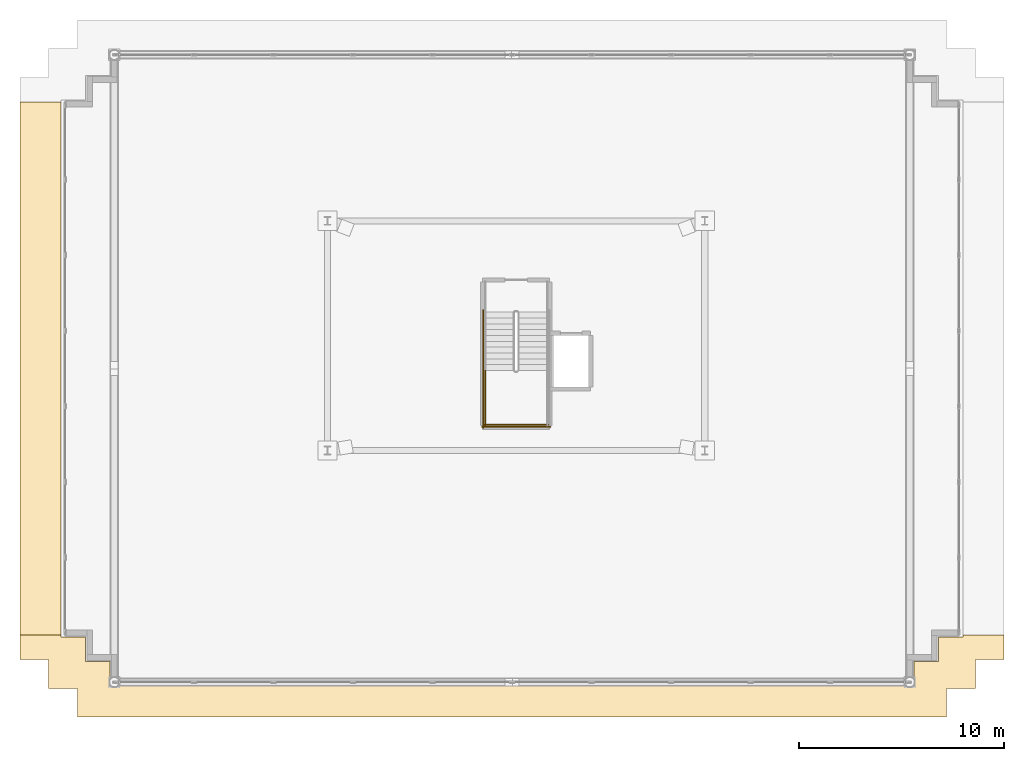
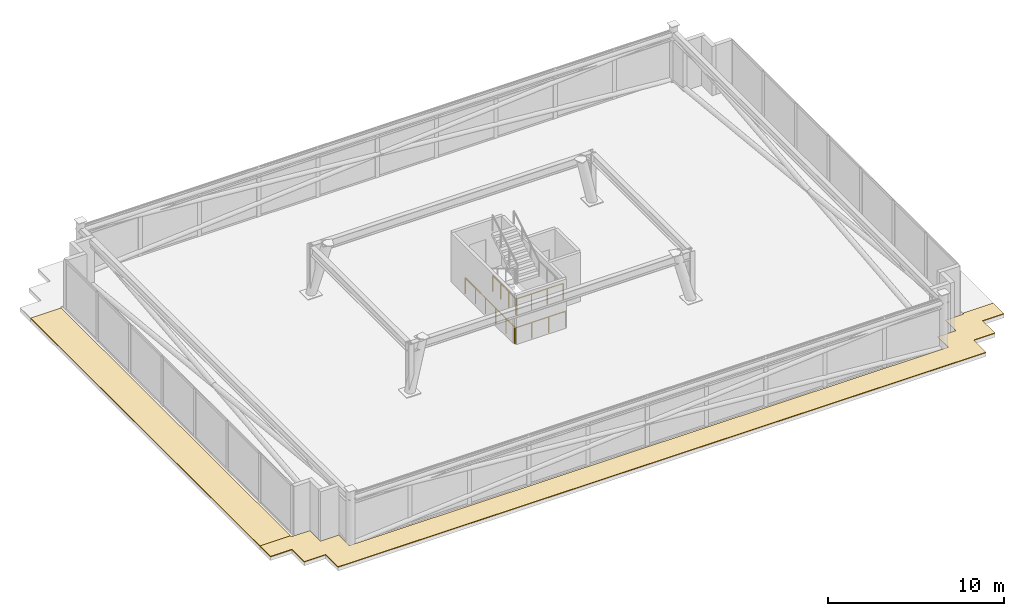
# One storey, part 21 of 23: 4 railings, 2 coverings.
"""IFC4 building model written with IfcOpenShell, lengths in metres."""

from ifc_helpers import new_model, si_unit, direction, frame, origin, origin_2d, place, context, subcontext, project, spatial, polyline, circle, outline, extrude, material, layer, layer_set, type_object, element, save


model = new_model("IFC4")

# Units and contexts
model_context = context("Model", 3, precision=1e-05, world=origin(), true_north=direction((0.0, 1.0)))
body_context = subcontext(model_context, "Body", "Model", "MODEL_VIEW")
ifc_project = project(units=[si_unit("LENGTHUNIT", "METRE"), si_unit("AREAUNIT", "SQUARE_METRE"), si_unit("VOLUMEUNIT", "CUBIC_METRE"), si_unit("PLANEANGLEUNIT", "RADIAN"), si_unit("MASSUNIT", "GRAM", prefix="KILO")], contexts=[model_context])

# Site, building, storey
site_placement = place(None, origin())
site = spatial("IfcSite", under=ifc_project, at=site_placement, CompositionType="ELEMENT")
building_placement = place(site_placement, origin())
building = spatial("IfcBuilding", under=site, at=building_placement, Name="Qobustan Lattice House", CompositionType="ELEMENT")
storey_placement = place(building_placement, frame((0.0, 0.0, 270.199951171875)))
storey = spatial("IfcBuildingStorey", under=building, at=storey_placement, Name="L76", CompositionType="ELEMENT", Elevation=270.199951171875)

# Coverings
ifc_material_1 = material(Name="Insulated stone-ballasted roof membrane", Category="masonry")
ifc_layer = layer(ifc_material_1, 0.050048828125)
ifc_layer_set = layer_set([ifc_layer], Name="Insulated stone-ballasted roof membrane")
covering_type = type_object("IfcCoveringType", Name="COV-ROOF-MEMB", PredefinedType="ROOFING", material=ifc_layer_set)
covering_1_placement = place(storey_placement, origin())
element("IfcCovering", 1, at=covering_1_placement, inside=storey, type_object=covering_type, Name="L76 crown step roof membrane 1", PredefinedType="ROOFING", context=body_context, shape_type="SweptSolid", body=[
    extrude(outline(polyline([(-21.39990234375, -17.199951171875), (-21.39990234375, -18.60009765625), (21.0, -18.60009765625), (21.0, -17.199951171875), (22.39990234375, -17.199951171875), (22.39990234375, -15.800048828125), (23.800048828125, -15.800048828125), (23.800048828125, -14.60009765625), (21.800048828125, -14.60009765625), (21.800048828125, -14.699951171875), (20.60009765625, -14.699951171875), (20.60009765625, -15.89990234375), (19.39990234375, -15.89990234375), (19.39990234375, -17.10009765625), (-19.800048828125, -17.10009765625), (-19.800048828125, -15.89990234375), (-21.0, -15.89990234375), (-21.0, -14.699951171875), (-22.199951171875, -14.699951171875), (-22.199951171875, -14.60009765625), (-24.199951171875, -14.60009765625), (-24.199951171875, -15.800048828125), (-22.800048828125, -15.800048828125), (-22.800048828125, -17.199951171875), (-21.39990234375, -17.199951171875)])), origin(), (0.0, 0.0, 1.0), 0.050048828125),
])
covering_2_placement = place(storey_placement, origin())
element("IfcCovering", 2, at=covering_2_placement, inside=storey, type_object=covering_type, Name="L76 crown step roof membrane 3", PredefinedType="ROOFING", context=body_context, shape_type="SweptSolid", body=[
    extrude(outline(polyline([(-24.199951171875, -14.60009765625), (-22.199951171875, -14.60009765625), (-22.199951171875, 11.39990234375), (-24.199951171875, 11.39990234375), (-24.199951171875, -14.60009765625)])), origin(), (0.0, 0.0, 1.0), 0.050048828125),
])

# Railings
ifc_material_2 = material(Name="Painted galvanized steel guardrail", Category="steel")
railing_type = type_object("IfcRailingType", Name="RAL-STG-1150", PredefinedType="GUARDRAIL", material=ifc_material_2)
railing_1_placement = place(storey_placement, frame((-1.510009765625, -1.699951171875, 1.900146484375)))
element("IfcRailing", 3, at=railing_1_placement, inside=storey, type_object=railing_type, Name="L76 ST-C1 stair guard 3", PredefinedType="GUARDRAIL", context=body_context, shape_type="SweptSolid", body=[
    extrude(circle(Radius=0.02392578125, at=origin_2d()), frame((0.0, 0.0, 1.076171875), z_axis=(0.0, -1.0, 0.0), x_axis=(1.0, 0.0, 0.0)), (0.0, 0.0, 1.0), 2.699951171875),
    extrude(circle(Radius=0.02099609375, at=origin_2d()), origin(), (0.0, 0.0, 1.0), 1.052001953125),
    extrude(circle(Radius=0.02099609375, at=origin_2d()), frame((0.0, -0.89990234375, 0.0)), (0.0, 0.0, 1.0), 1.052001953125),
    extrude(circle(Radius=0.02099609375, at=origin_2d()), frame((0.0, -1.800048828125, 0.0)), (0.0, 0.0, 1.0), 1.052001953125),
    extrude(circle(Radius=0.02099609375, at=origin_2d()), frame((0.0, -2.699951171875, 0.0)), (0.0, 0.0, 1.0), 1.052001953125),
])
railing_2_placement = place(storey_placement, frame((-1.56005859375, -4.35009765625, 1.900146484375)))
element("IfcRailing", 4, at=railing_2_placement, inside=storey, type_object=railing_type, Name="L76 ST-C1 stair guard 5", PredefinedType="GUARDRAIL", context=body_context, shape_type="SweptSolid", body=[
    extrude(circle(Radius=0.02392578125, at=origin_2d()), frame((0.0, 0.0, 1.076171875), z_axis=(1.0, 0.0, 0.0), x_axis=(0.0, 1.0, 0.0)), (0.0, 0.0, 1.0), 3.1201171875),
    extrude(circle(Radius=0.02099609375, at=origin_2d()), origin(), (0.0, 0.0, 1.0), 1.052001953125),
    extrude(circle(Radius=0.02099609375, at=origin_2d()), frame((1.0400390625, 0.0, 0.0)), (0.0, 0.0, 1.0), 1.052001953125),
    extrude(circle(Radius=0.02099609375, at=origin_2d()), frame((2.080078125, 0.0, 0.0)), (0.0, 0.0, 1.0), 1.052001953125),
    extrude(circle(Radius=0.02099609375, at=origin_2d()), frame((3.1201171875, 0.0, 0.0)), (0.0, 0.0, 1.0), 1.052001953125),
])
railing_3_placement = place(storey_placement, frame((-1.610107421875, 1.25, 0.0)))
element("IfcRailing", 5, at=railing_3_placement, inside=storey, type_object=railing_type, Name="L76 ST-C1 stair guard 10", PredefinedType="GUARDRAIL", context=body_context, shape_type="SweptSolid", body=[
    extrude(circle(Radius=0.02392578125, at=origin_2d()), frame((0.0, 0.0, 1.076171875), z_axis=(0.0, -1.0, 0.0), x_axis=(1.0, 0.0, 0.0)), (0.0, 0.0, 1.0), 5.75),
    extrude(circle(Radius=0.02099609375, at=origin_2d()), origin(), (0.0, 0.0, 1.0), 1.052001953125),
    extrude(circle(Radius=0.02099609375, at=origin_2d()), frame((0.0, -1.14990234375, 0.0)), (0.0, 0.0, 1.0), 1.052001953125),
    extrude(circle(Radius=0.02099609375, at=origin_2d()), frame((0.0, -2.300048828125, 0.0)), (0.0, 0.0, 1.0), 1.052001953125),
    extrude(circle(Radius=0.02099609375, at=origin_2d()), frame((0.0, -3.449951171875, 0.0)), (0.0, 0.0, 1.0), 1.052001953125),
    extrude(circle(Radius=0.02099609375, at=origin_2d()), frame((0.0, -4.60009765625, 0.0)), (0.0, 0.0, 1.0), 1.052001953125),
    extrude(circle(Radius=0.02099609375, at=origin_2d()), frame((0.0, -5.75, 0.0)), (0.0, 0.0, 1.0), 1.052001953125),
])
railing_4_placement = place(storey_placement, frame((-1.659912109375, -4.449951171875, 0.0)))
element("IfcRailing", 6, at=railing_4_placement, inside=storey, type_object=railing_type, Name="L76 ST-C1 stair guard 12", PredefinedType="GUARDRAIL", context=body_context, shape_type="SweptSolid", body=[
    extrude(circle(Radius=0.02392578125, at=origin_2d()), frame((0.0, 0.0, 1.076171875), z_axis=(1.0, 0.0, 0.0), x_axis=(0.0, 1.0, 0.0)), (0.0, 0.0, 1.0), 3.31982421875),
    extrude(circle(Radius=0.02099609375, at=origin_2d()), origin(), (0.0, 0.0, 1.0), 1.052001953125),
    extrude(circle(Radius=0.02099609375, at=origin_2d()), frame((1.106689453125, 0.0, 0.0)), (0.0, 0.0, 1.0), 1.052001953125),
    extrude(circle(Radius=0.02099609375, at=origin_2d()), frame((2.213134765625, 0.0, 0.0)), (0.0, 0.0, 1.0), 1.052001953125),
    extrude(circle(Radius=0.02099609375, at=origin_2d()), frame((3.31982421875, 0.0, 0.0)), (0.0, 0.0, 1.0), 1.052001953125),
])

save(model, "model.ifc")
